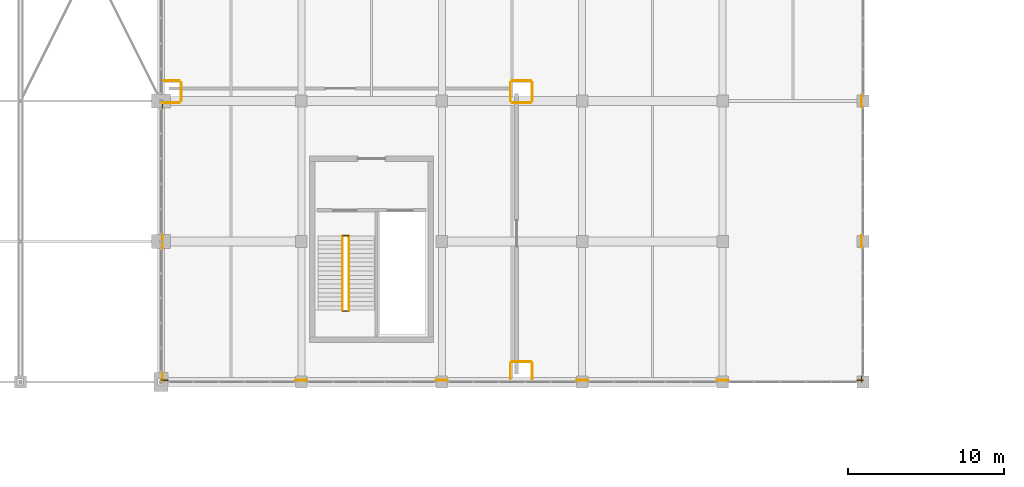
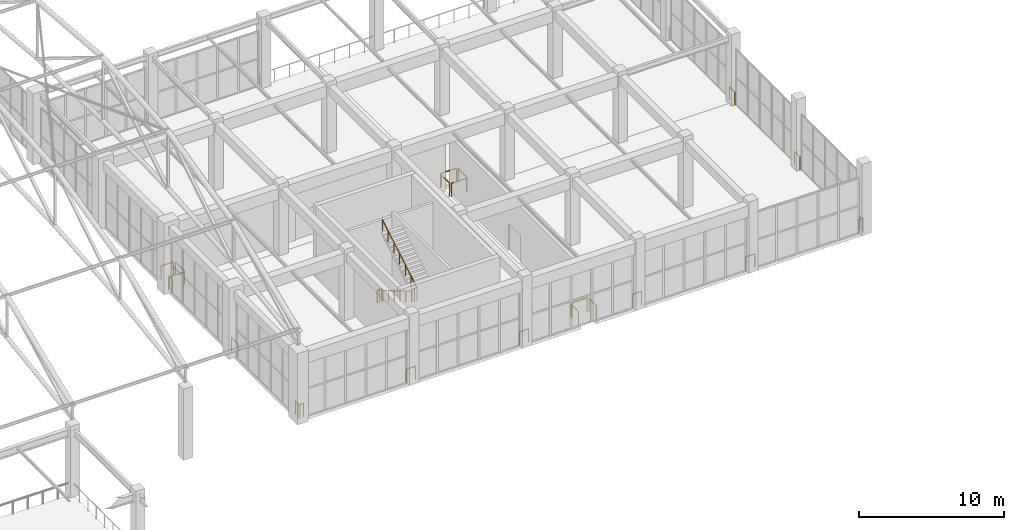
# One storey, part 218 of 223: 26 railings.
"""IFC4 building model written with IfcOpenShell, lengths in metres."""

from ifc_helpers import new_model, si_unit, direction, frame, origin, origin_2d, place, context, subcontext, project, spatial, circle, extrude, material, type_object, element, save


model = new_model("IFC4")

# Units and contexts
model_context = context("Model", 3, precision=1e-05, world=origin(), true_north=direction((0.0, 1.0)))
body_context = subcontext(model_context, "Body", "Model", "MODEL_VIEW")
ifc_project = project(units=[si_unit("LENGTHUNIT", "METRE"), si_unit("AREAUNIT", "SQUARE_METRE"), si_unit("VOLUMEUNIT", "CUBIC_METRE"), si_unit("PLANEANGLEUNIT", "RADIAN"), si_unit("MASSUNIT", "GRAM", prefix="KILO")], contexts=[model_context])

# Site, building, storey
site_placement = place(None, origin())
site = spatial("IfcSite", under=ifc_project, at=site_placement, CompositionType="ELEMENT")
building_placement = place(site_placement, origin())
building = spatial("IfcBuilding", under=site, at=building_placement, Name="Dornveld Trade and Exhibition Forum", CompositionType="ELEMENT")
storey_placement = place(building_placement, frame((0.0, 0.0, 6.0)))
storey = spatial("IfcBuildingStorey", under=building, at=storey_placement, Name="L01", CompositionType="ELEMENT", Elevation=6.0)

# Railings
ifc_material_1 = material(Name="Dark-bronze steel and laminated glass balustrade", Category="steel")
railing_type_1 = type_object("IfcRailingType", Name="RL-BALUST-CONC", PredefinedType="BALUSTRADE", material=ifc_material_1)
for number, where, name in (
    (1, (215.89990234375, 126.37109375, 0.0), "L01 deck edge balustrade 60"),
    (2, (215.89990234375, 117.37109375, 0.0), "L01 deck edge balustrade 61"),
):
    element("IfcRailing", number, at=place(storey_placement, frame(where)), inside=storey, type_object=railing_type_1, Name=name, PredefinedType="BALUSTRADE", context=body_context, shape_type="SweptSolid", body=[
        extrude(circle(Radius=0.02490234375, at=origin_2d()), frame((0.0, 0.0, 1.09521484375), z_axis=(0.0, -1.0, 0.0), x_axis=(1.0, 0.0, 0.0)), (0.0, 0.0, 1.0), 0.7421875),
        extrude(circle(Radius=0.02099609375, at=origin_2d()), origin(), (0.0, 0.0, 1.0), 1.070068359375),
        extrude(circle(Radius=0.02099609375, at=origin_2d()), frame((0.0, -0.7421875, 0.0)), (0.0, 0.0, 1.0), 1.070068359375),
    ])
railing_1_placement = place(storey_placement, frame((215.89990234375, 108.37109375, 0.0)))
element("IfcRailing", 3, at=railing_1_placement, inside=storey, type_object=railing_type_1, Name="L01 deck edge balustrade 62", PredefinedType="BALUSTRADE", context=body_context, shape_type="SweptSolid", body=[
    extrude(circle(Radius=0.02490234375, at=origin_2d()), frame((0.0, 0.0, 1.09521484375), z_axis=(0.0, -1.0, 0.0), x_axis=(1.0, 0.0, 0.0)), (0.0, 0.0, 1.0), 0.37109375),
    extrude(circle(Radius=0.02099609375, at=origin_2d()), origin(), (0.0, 0.0, 1.0), 1.070068359375),
    extrude(circle(Radius=0.02099609375, at=origin_2d()), frame((0.0, -0.37109375, 0.0)), (0.0, 0.0, 1.0), 1.070068359375),
])
railing_2_placement = place(storey_placement, frame((216.0, 108.10009765625, 0.0)))
element("IfcRailing", 4, at=railing_2_placement, inside=storey, type_object=railing_type_1, Name="L01 deck edge balustrade 63", PredefinedType="BALUSTRADE", context=body_context, shape_type="SweptSolid", body=[
    extrude(circle(Radius=0.02490234375, at=origin_2d()), frame((0.0, 0.0, 1.09521484375), z_axis=(-1.0, 0.0, 0.0), x_axis=(0.0, -1.0, 0.0)), (0.0, 0.0, 1.0), 0.37109375),
    extrude(circle(Radius=0.02099609375, at=origin_2d()), origin(), (0.0, 0.0, 1.0), 1.070068359375),
    extrude(circle(Radius=0.02099609375, at=origin_2d()), frame((-0.37109375, 0.0, 0.0)), (0.0, 0.0, 1.0), 1.070068359375),
])
for number, where, name in (
    (5, (207.37109375, 108.10009765625, 0.0), "L01 deck edge balustrade 64"),
    (6, (198.37109375, 108.10009765625, 0.0), "L01 deck edge balustrade 65"),
):
    element("IfcRailing", number, at=place(storey_placement, frame(where)), inside=storey, type_object=railing_type_1, Name=name, PredefinedType="BALUSTRADE", context=body_context, shape_type="SweptSolid", body=[
        extrude(circle(Radius=0.02490234375, at=origin_2d()), frame((0.0, 0.0, 1.09521484375), z_axis=(-1.0, 0.0, 0.0), x_axis=(0.0, -1.0, 0.0)), (0.0, 0.0, 1.0), 0.7421875),
        extrude(circle(Radius=0.02099609375, at=origin_2d()), origin(), (0.0, 0.0, 1.0), 1.070068359375),
        extrude(circle(Radius=0.02099609375, at=origin_2d()), frame((-0.7421875, 0.0, 0.0)), (0.0, 0.0, 1.0), 1.070068359375),
    ])
railing_3_placement = place(storey_placement, frame((194.800048828125, 108.179931640625, 0.0)))
element("IfcRailing", 7, at=railing_3_placement, inside=storey, type_object=railing_type_1, Name="L01 deck edge balustrade 66", PredefinedType="BALUSTRADE", context=body_context, shape_type="SweptSolid", body=[
    extrude(circle(Radius=0.02490234375, at=origin_2d()), frame((0.0, 0.0, 1.09521484375), z_axis=(0.0, 1.0, 0.0), x_axis=(-1.0, 0.0, 0.0)), (0.0, 0.0, 1.0), 1.02001953125),
    extrude(circle(Radius=0.02099609375, at=origin_2d()), origin(), (0.0, 0.0, 1.0), 1.070068359375),
    extrude(circle(Radius=0.02099609375, at=origin_2d()), frame((0.0, 1.02001953125, 0.0)), (0.0, 0.0, 1.0), 1.070068359375),
])
railing_4_placement = place(storey_placement, frame((194.699951171875, 109.300048828125, 0.0)))
element("IfcRailing", 8, at=railing_4_placement, inside=storey, type_object=railing_type_1, Name="L01 deck edge balustrade 67", PredefinedType="BALUSTRADE", context=body_context, shape_type="SweptSolid", body=[
    extrude(circle(Radius=0.02490234375, at=origin_2d()), frame((0.0, 0.0, 1.09521484375), z_axis=(-1.0, 0.0, 0.0), x_axis=(0.0, -1.0, 0.0)), (0.0, 0.0, 1.0), 1.199951171875),
    extrude(circle(Radius=0.02099609375, at=origin_2d()), origin(), (0.0, 0.0, 1.0), 1.070068359375),
    extrude(circle(Radius=0.02099609375, at=origin_2d()), frame((-1.199951171875, 0.0, 0.0)), (0.0, 0.0, 1.0), 1.070068359375),
])
railing_5_placement = place(storey_placement, frame((193.39990234375, 109.199951171875, 0.0)))
element("IfcRailing", 9, at=railing_5_placement, inside=storey, type_object=railing_type_1, Name="L01 deck edge balustrade 68", PredefinedType="BALUSTRADE", context=body_context, shape_type="SweptSolid", body=[
    extrude(circle(Radius=0.02490234375, at=origin_2d()), frame((0.0, 0.0, 1.09521484375), z_axis=(0.0, -1.0, 0.0), x_axis=(1.0, 0.0, 0.0)), (0.0, 0.0, 1.0), 1.02001953125),
    extrude(circle(Radius=0.02099609375, at=origin_2d()), origin(), (0.0, 0.0, 1.0), 1.070068359375),
    extrude(circle(Radius=0.02099609375, at=origin_2d()), frame((0.0, -1.02001953125, 0.0)), (0.0, 0.0, 1.0), 1.070068359375),
])
for number, where, name in (
    (10, (189.37109375, 108.10009765625, 0.0), "L01 deck edge balustrade 69"),
    (11, (180.37109375, 108.10009765625, 0.0), "L01 deck edge balustrade 70"),
):
    element("IfcRailing", number, at=place(storey_placement, frame(where)), inside=storey, type_object=railing_type_1, Name=name, PredefinedType="BALUSTRADE", context=body_context, shape_type="SweptSolid", body=[
        extrude(circle(Radius=0.02490234375, at=origin_2d()), frame((0.0, 0.0, 1.09521484375), z_axis=(-1.0, 0.0, 0.0), x_axis=(0.0, -1.0, 0.0)), (0.0, 0.0, 1.0), 0.7421875),
        extrude(circle(Radius=0.02099609375, at=origin_2d()), origin(), (0.0, 0.0, 1.0), 1.070068359375),
        extrude(circle(Radius=0.02099609375, at=origin_2d()), frame((-0.7421875, 0.0, 0.0)), (0.0, 0.0, 1.0), 1.070068359375),
    ])
railing_6_placement = place(storey_placement, frame((171.446044921875, 108.10009765625, 0.0)))
element("IfcRailing", 12, at=railing_6_placement, inside=storey, type_object=railing_type_1, Name="L01 deck edge balustrade 71", PredefinedType="BALUSTRADE", context=body_context, shape_type="SweptSolid", body=[
    extrude(circle(Radius=0.02490234375, at=origin_2d()), frame((0.0, 0.0, 1.09521484375), z_axis=(-1.0, 0.0, 0.0), x_axis=(0.0, -1.0, 0.0)), (0.0, 0.0, 1.0), 0.446044921875),
    extrude(circle(Radius=0.02099609375, at=origin_2d()), origin(), (0.0, 0.0, 1.0), 1.070068359375),
    extrude(circle(Radius=0.02099609375, at=origin_2d()), frame((-0.446044921875, 0.0, 0.0)), (0.0, 0.0, 1.0), 1.070068359375),
])
railing_7_placement = place(storey_placement, frame((171.10009765625, 108.0, 0.0)))
element("IfcRailing", 13, at=railing_7_placement, inside=storey, type_object=railing_type_1, Name="L01 deck edge balustrade 72", PredefinedType="BALUSTRADE", context=body_context, shape_type="SweptSolid", body=[
    extrude(circle(Radius=0.02490234375, at=origin_2d()), frame((0.0, 0.0, 1.09521484375), z_axis=(0.0, 1.0, 0.0), x_axis=(-1.0, 0.0, 0.0)), (0.0, 0.0, 1.0), 0.595947265625),
    extrude(circle(Radius=0.02099609375, at=origin_2d()), origin(), (0.0, 0.0, 1.0), 1.070068359375),
    extrude(circle(Radius=0.02099609375, at=origin_2d()), frame((0.0, 0.595947265625, 0.0)), (0.0, 0.0, 1.0), 1.070068359375),
])
railing_8_placement = place(storey_placement, frame((171.10009765625, 116.553955078125, 0.0)))
element("IfcRailing", 14, at=railing_8_placement, inside=storey, type_object=railing_type_1, Name="L01 deck edge balustrade 73", PredefinedType="BALUSTRADE", context=body_context, shape_type="SweptSolid", body=[
    extrude(circle(Radius=0.02490234375, at=origin_2d()), frame((0.0, 0.0, 1.09521484375), z_axis=(0.0, 1.0, 0.0), x_axis=(-1.0, 0.0, 0.0)), (0.0, 0.0, 1.0), 0.89208984375),
    extrude(circle(Radius=0.02099609375, at=origin_2d()), origin(), (0.0, 0.0, 1.0), 1.070068359375),
    extrude(circle(Radius=0.02099609375, at=origin_2d()), frame((0.0, 0.89208984375, 0.0)), (0.0, 0.0, 1.0), 1.070068359375),
])
railing_9_placement = place(storey_placement, frame((171.10009765625, 125.553955078125, 0.0)))
element("IfcRailing", 15, at=railing_9_placement, inside=storey, type_object=railing_type_1, Name="L01 deck edge balustrade 74", PredefinedType="BALUSTRADE", context=body_context, shape_type="SweptSolid", body=[
    extrude(circle(Radius=0.02490234375, at=origin_2d()), frame((0.0, 0.0, 1.09521484375), z_axis=(0.0, 1.0, 0.0), x_axis=(-1.0, 0.0, 0.0)), (0.0, 0.0, 1.0), 0.446044921875),
    extrude(circle(Radius=0.02099609375, at=origin_2d()), origin(), (0.0, 0.0, 1.0), 1.070068359375),
    extrude(circle(Radius=0.02099609375, at=origin_2d()), frame((0.0, 0.446044921875, 0.0)), (0.0, 0.0, 1.0), 1.070068359375),
])
railing_10_placement = place(storey_placement, frame((171.0, 125.89990234375, 0.0)))
element("IfcRailing", 16, at=railing_10_placement, inside=storey, type_object=railing_type_1, Name="L01 deck edge balustrade 75", PredefinedType="BALUSTRADE", context=body_context, shape_type="SweptSolid", body=[
    extrude(circle(Radius=0.02490234375, at=origin_2d()), frame((0.0, 0.0, 1.09521484375), z_axis=(1.0, 0.0, 0.0), x_axis=(0.0, 1.0, 0.0)), (0.0, 0.0, 1.0), 1.199951171875),
    extrude(circle(Radius=0.02099609375, at=origin_2d()), origin(), (0.0, 0.0, 1.0), 1.070068359375),
    extrude(circle(Radius=0.02099609375, at=origin_2d()), frame((1.199951171875, 0.0, 0.0)), (0.0, 0.0, 1.0), 1.070068359375),
])
railing_11_placement = place(storey_placement, frame((172.300048828125, 126.0, 0.0)))
element("IfcRailing", 17, at=railing_11_placement, inside=storey, type_object=railing_type_1, Name="L01 deck edge balustrade 76", PredefinedType="BALUSTRADE", context=body_context, shape_type="SweptSolid", body=[
    extrude(circle(Radius=0.02490234375, at=origin_2d()), frame((0.0, 0.0, 1.09521484375), z_axis=(0.0, 1.0, 0.0), x_axis=(-1.0, 0.0, 0.0)), (0.0, 0.0, 1.0), 1.199951171875),
    extrude(circle(Radius=0.02099609375, at=origin_2d()), origin(), (0.0, 0.0, 1.0), 1.070068359375),
    extrude(circle(Radius=0.02099609375, at=origin_2d()), frame((0.0, 1.199951171875, 0.0)), (0.0, 0.0, 1.0), 1.070068359375),
])
railing_12_placement = place(storey_placement, frame((172.199951171875, 127.300048828125, 0.0)))
element("IfcRailing", 18, at=railing_12_placement, inside=storey, type_object=railing_type_1, Name="L01 deck edge balustrade 77", PredefinedType="BALUSTRADE", context=body_context, shape_type="SweptSolid", body=[
    extrude(circle(Radius=0.02490234375, at=origin_2d()), frame((0.0, 0.0, 1.09521484375), z_axis=(-1.0, 0.0, 0.0), x_axis=(0.0, -1.0, 0.0)), (0.0, 0.0, 1.0), 1.02001953125),
    extrude(circle(Radius=0.02099609375, at=origin_2d()), origin(), (0.0, 0.0, 1.0), 1.070068359375),
    extrude(circle(Radius=0.02099609375, at=origin_2d()), frame((-1.02001953125, 0.0, 0.0)), (0.0, 0.0, 1.0), 1.070068359375),
])
railing_13_placement = place(storey_placement, frame((193.5, 125.89990234375, 0.0)))
element("IfcRailing", 19, at=railing_13_placement, inside=storey, type_object=railing_type_1, Name="L01 deck edge balustrade 78", PredefinedType="BALUSTRADE", context=body_context, shape_type="SweptSolid", body=[
    extrude(circle(Radius=0.02490234375, at=origin_2d()), frame((0.0, 0.0, 1.09521484375), z_axis=(1.0, 0.0, 0.0), x_axis=(0.0, 1.0, 0.0)), (0.0, 0.0, 1.0), 1.199951171875),
    extrude(circle(Radius=0.02099609375, at=origin_2d()), origin(), (0.0, 0.0, 1.0), 1.070068359375),
    extrude(circle(Radius=0.02099609375, at=origin_2d()), frame((1.199951171875, 0.0, 0.0)), (0.0, 0.0, 1.0), 1.070068359375),
])
railing_14_placement = place(storey_placement, frame((194.800048828125, 126.0, 0.0)))
element("IfcRailing", 20, at=railing_14_placement, inside=storey, type_object=railing_type_1, Name="L01 deck edge balustrade 79", PredefinedType="BALUSTRADE", context=body_context, shape_type="SweptSolid", body=[
    extrude(circle(Radius=0.02490234375, at=origin_2d()), frame((0.0, 0.0, 1.09521484375), z_axis=(0.0, 1.0, 0.0), x_axis=(-1.0, 0.0, 0.0)), (0.0, 0.0, 1.0), 1.199951171875),
    extrude(circle(Radius=0.02099609375, at=origin_2d()), origin(), (0.0, 0.0, 1.0), 1.070068359375),
    extrude(circle(Radius=0.02099609375, at=origin_2d()), frame((0.0, 1.199951171875, 0.0)), (0.0, 0.0, 1.0), 1.070068359375),
])
railing_15_placement = place(storey_placement, frame((194.699951171875, 127.300048828125, 0.0)))
element("IfcRailing", 21, at=railing_15_placement, inside=storey, type_object=railing_type_1, Name="L01 deck edge balustrade 80", PredefinedType="BALUSTRADE", context=body_context, shape_type="SweptSolid", body=[
    extrude(circle(Radius=0.02490234375, at=origin_2d()), frame((0.0, 0.0, 1.09521484375), z_axis=(-1.0, 0.0, 0.0), x_axis=(0.0, -1.0, 0.0)), (0.0, 0.0, 1.0), 1.199951171875),
    extrude(circle(Radius=0.02099609375, at=origin_2d()), origin(), (0.0, 0.0, 1.0), 1.070068359375),
    extrude(circle(Radius=0.02099609375, at=origin_2d()), frame((-1.199951171875, 0.0, 0.0)), (0.0, 0.0, 1.0), 1.070068359375),
])
railing_16_placement = place(storey_placement, frame((193.39990234375, 127.199951171875, 0.0)))
element("IfcRailing", 22, at=railing_16_placement, inside=storey, type_object=railing_type_1, Name="L01 deck edge balustrade 81", PredefinedType="BALUSTRADE", context=body_context, shape_type="SweptSolid", body=[
    extrude(circle(Radius=0.02490234375, at=origin_2d()), frame((0.0, 0.0, 1.09521484375), z_axis=(0.0, -1.0, 0.0), x_axis=(1.0, 0.0, 0.0)), (0.0, 0.0, 1.0), 1.199951171875),
    extrude(circle(Radius=0.02099609375, at=origin_2d()), origin(), (0.0, 0.0, 1.0), 1.070068359375),
    extrude(circle(Radius=0.02099609375, at=origin_2d()), frame((0.0, -1.199951171875, 0.0)), (0.0, 0.0, 1.0), 1.070068359375),
])
ifc_material_2 = material(Name="Brushed stainless steel handrail", Category="steel")
railing_type_2 = type_object("IfcRailingType", Name="RL-HAND-920", PredefinedType="HANDRAIL", material=ifc_material_2)
railing_17_placement = place(storey_placement, frame((182.639892578125, 117.35009765625, 0.166748046875)))
element("IfcRailing", 23, at=railing_17_placement, inside=storey, type_object=railing_type_2, Name="ST-12-L01 flight 1 handrail", PredefinedType="HANDRAIL", context=body_context, shape_type="SweptSolid", body=[
    extrude(circle(Radius=0.02099609375, at=origin_2d()), frame((0.0, 0.0, 0.89892578125), z_axis=(0.0, -0.859299802514, 0.511472237174), x_axis=(1.0, 0.0, 0.0)), (0.0, 0.0, 1.0), 5.539306640625),
    extrude(circle(Radius=0.01806640625, at=origin_2d()), origin(), (0.0, 0.0, 1.0), 0.8779296875),
    extrude(circle(Radius=0.01806640625, at=origin_2d()), frame((0.0, -0.79345703125, 0.47216796875)), (0.0, 0.0, 1.0), 0.8779296875),
    extrude(circle(Radius=0.01806640625, at=origin_2d()), frame((0.0, -1.586669921875, 0.9443359375)), (0.0, 0.0, 1.0), 0.8779296875),
    extrude(circle(Radius=0.01806640625, at=origin_2d()), frame((0.0, -2.3798828125, 1.41650390625)), (0.0, 0.0, 1.0), 0.8779296875),
    extrude(circle(Radius=0.01806640625, at=origin_2d()), frame((0.0, -3.17333984375, 1.888916015625)), (0.0, 0.0, 1.0), 0.8779296875),
    extrude(circle(Radius=0.01806640625, at=origin_2d()), frame((0.0, -3.966796875, 2.361083984375)), (0.0, 0.0, 1.0), 0.8779296875),
    extrude(circle(Radius=0.01806640625, at=origin_2d()), frame((0.0, -4.760009765625, 2.833251953125)), (0.0, 0.0, 1.0), 0.8779296875),
])
railing_18_placement = place(storey_placement, frame((183.06005859375, 112.590087890625, 3.166748046875)))
element("IfcRailing", 24, at=railing_18_placement, inside=storey, type_object=railing_type_2, Name="ST-12-L01 flight 2 handrail", PredefinedType="HANDRAIL", context=body_context, shape_type="SweptSolid", body=[
    extrude(circle(Radius=0.02099609375, at=origin_2d()), frame((0.0, 0.0, 0.89892578125), z_axis=(0.0, 0.859299802514, 0.511472237174), x_axis=(-1.0, 0.0, 0.0)), (0.0, 0.0, 1.0), 5.539306640625),
    extrude(circle(Radius=0.01806640625, at=origin_2d()), origin(), (0.0, 0.0, 1.0), 0.8779296875),
    extrude(circle(Radius=0.01806640625, at=origin_2d()), frame((0.0, 0.79345703125, 0.47216796875)), (0.0, 0.0, 1.0), 0.8779296875),
    extrude(circle(Radius=0.01806640625, at=origin_2d()), frame((0.0, 1.586669921875, 0.9443359375)), (0.0, 0.0, 1.0), 0.8779296875),
    extrude(circle(Radius=0.01806640625, at=origin_2d()), frame((0.0, 2.3798828125, 1.41650390625)), (0.0, 0.0, 1.0), 0.8779296875),
    extrude(circle(Radius=0.01806640625, at=origin_2d()), frame((0.0, 3.17333984375, 1.888916015625)), (0.0, 0.0, 1.0), 0.8779296875),
    extrude(circle(Radius=0.01806640625, at=origin_2d()), frame((0.0, 3.966796875, 2.361083984375)), (0.0, 0.0, 1.0), 0.8779296875),
    extrude(circle(Radius=0.01806640625, at=origin_2d()), frame((0.0, 4.760009765625, 2.833251953125)), (0.0, 0.0, 1.0), 0.8779296875),
])
ifc_material_3 = material(Name="Painted steel S355J2 stair-well guard", Category="steel")
railing_type_3 = type_object("IfcRailingType", Name="RL-WELL-110", PredefinedType="GUARDRAIL", material=ifc_material_3)
railing_19_placement = place(storey_placement, frame((182.639892578125, 112.5400390625, 3.0)))
element("IfcRailing", 25, at=railing_19_placement, inside=storey, type_object=railing_type_3, Name="ST-12-L01 half-landing well guard", PredefinedType="GUARDRAIL", context=body_context, shape_type="SweptSolid", body=[
    extrude(circle(Radius=0.02392578125, at=origin_2d()), frame((0.0, 0.0, 1.076171875), z_axis=(1.0, 0.0, 0.0), x_axis=(0.0, 1.0, 0.0)), (0.0, 0.0, 1.0), 0.420166015625),
    extrude(circle(Radius=0.02001953125, at=origin_2d()), origin(), (0.0, 0.0, 1.0), 1.052001953125),
    extrude(circle(Radius=0.02001953125, at=origin_2d()), frame((0.2099609375, 0.0, 0.0)), (0.0, 0.0, 1.0), 1.052001953125),
    extrude(circle(Radius=0.02001953125, at=origin_2d()), frame((0.420166015625, 0.0, 0.0)), (0.0, 0.0, 1.0), 1.052001953125),
])
railing_20_placement = place(storey_placement, frame((182.669921875, 117.3701171875, 0.0)))
element("IfcRailing", 26, at=railing_20_placement, inside=storey, type_object=railing_type_3, Name="CORE-12 L01 stair-slot floor guard", PredefinedType="GUARDRAIL", context=body_context, shape_type="SweptSolid", body=[
    extrude(circle(Radius=0.02392578125, at=origin_2d()), frame((0.0, 0.0, 1.076171875), z_axis=(1.0, 0.0, 0.0), x_axis=(0.0, 1.0, 0.0)), (0.0, 0.0, 1.0), 0.360107421875),
    extrude(circle(Radius=0.02001953125, at=origin_2d()), origin(), (0.0, 0.0, 1.0), 1.052001953125),
    extrude(circle(Radius=0.02001953125, at=origin_2d()), frame((0.18017578125, 0.0, 0.0)), (0.0, 0.0, 1.0), 1.052001953125),
    extrude(circle(Radius=0.02001953125, at=origin_2d()), frame((0.360107421875, 0.0, 0.0)), (0.0, 0.0, 1.0), 1.052001953125),
])

save(model, "model.ifc")
